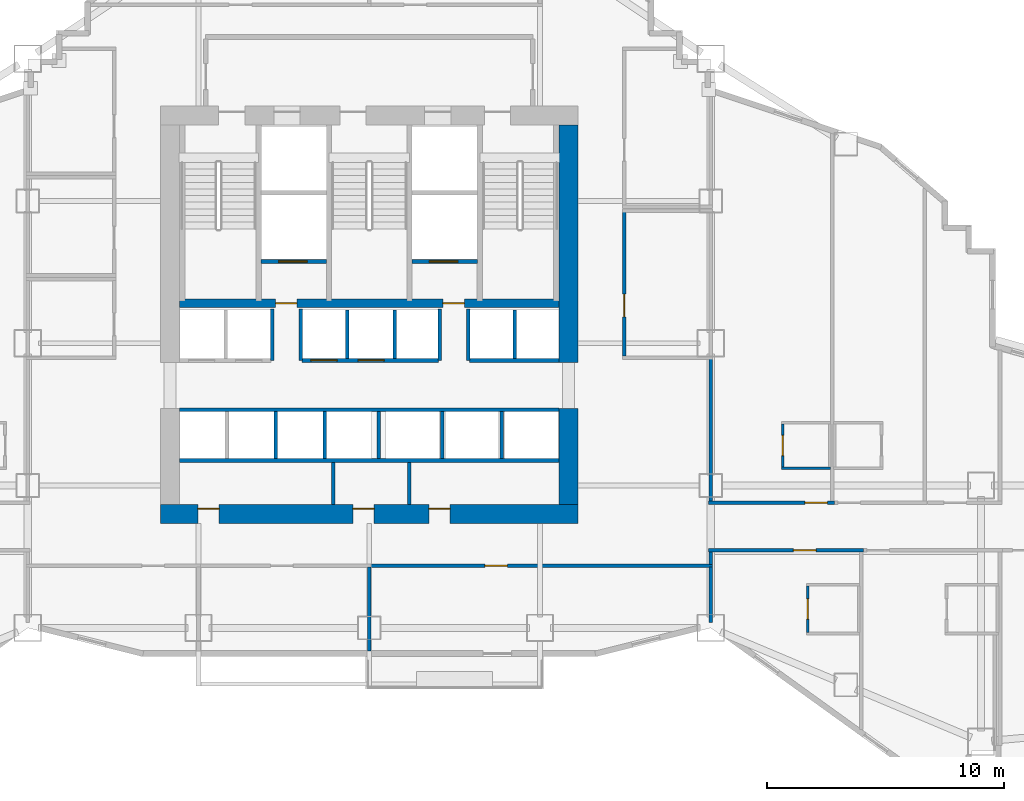
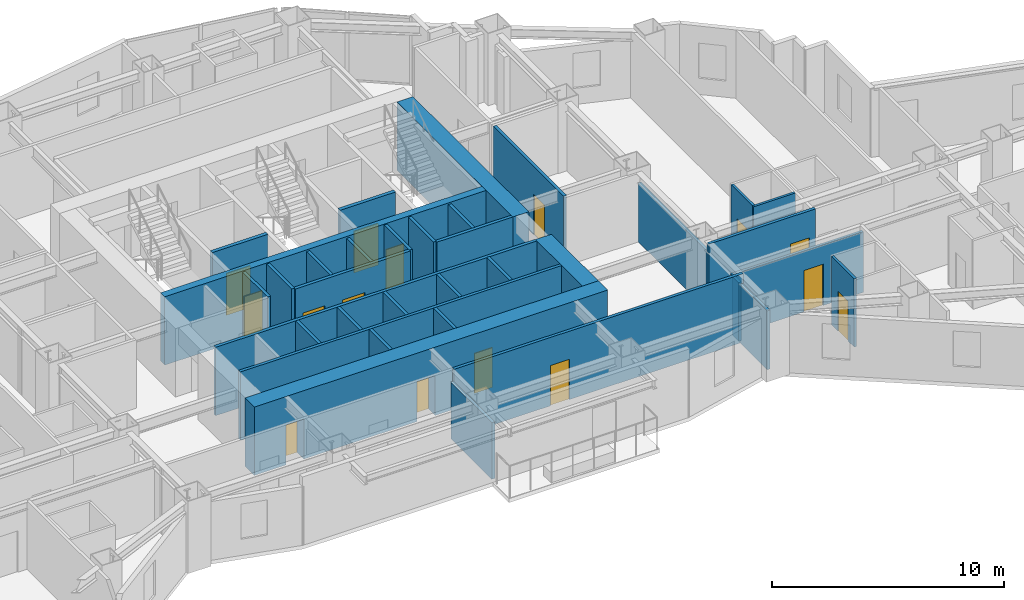
# One storey, part 9 of 15: 35 walls, 15 doors, 15 openings.
"""IFC4 building model written with IfcOpenShell, lengths in metres."""

from ifc_helpers import new_model, si_unit, direction, frame, frame_2d, origin, place, context, subcontext, project, spatial, rectangle, extrude, material, layer, layer_set, type_object, element, fill, save


model = new_model("IFC4")

# Units and contexts
model_context = context("Model", 3, precision=1e-05, world=origin(), true_north=direction((0.0, 1.0)))
body_context = subcontext(model_context, "Body", "Model", "MODEL_VIEW")
ifc_project = project(units=[si_unit("LENGTHUNIT", "METRE"), si_unit("AREAUNIT", "SQUARE_METRE"), si_unit("VOLUMEUNIT", "CUBIC_METRE"), si_unit("PLANEANGLEUNIT", "RADIAN"), si_unit("MASSUNIT", "GRAM", prefix="KILO")], contexts=[model_context])

# Site, building, storey
site_placement = place(None, origin())
site = spatial("IfcSite", under=ifc_project, at=site_placement, CompositionType="ELEMENT")
building_placement = place(site_placement, origin())
building = spatial("IfcBuilding", under=site, at=building_placement, Name="Haolan Belvedere Tower", CompositionType="ELEMENT")
storey_placement = place(building_placement, frame((0.0, 0.0, 70.39990234375)))
storey = spatial("IfcBuildingStorey", under=building, at=storey_placement, Name="L17", CompositionType="ELEMENT", Elevation=70.39990234375)

# Wall, openings, doors
ifc_material_1 = material(Name="Concrete C70/85", Category="concrete")
ifc_layer_1 = layer(ifc_material_1, 0.800048828125, Name="Concrete C70/85")
ifc_layer_set_1 = layer_set([ifc_layer_1], Name="Concrete C70/85")
wall_type_1 = type_object("IfcWallType", Name="WL-CORE-800", PredefinedType="SHEAR", material=ifc_layer_set_1)
wall_1_placement = place(storey_placement, frame((29.60009765625, 26.39990234375, 0.0), z_axis=(0.0, 0.0, 1.0), x_axis=(1.0, 0.0, 0.0)))
wall_1 = element("IfcWall", 1, at=wall_1_placement, inside=storey, type_object=wall_type_1, Name="L17 central core south shear wall", PredefinedType="SHEAR", context=body_context, shape_type="SweptSolid", body=[
    extrude(rectangle(XDim=17.599853515625, YDim=0.800048828125, at=frame_2d((8.7998046875, 0.0))), origin(), (0.0, 0.0, 1.0), 3.60009765625),
])
opening_1_placement = place(wall_1_placement, frame((2.469970703125, 0.0, 0.0), z_axis=(0.0, 0.0, 1.0), x_axis=(-1.0, 0.0, 0.0)))
opening_1 = element("IfcOpeningElement", 2, at=opening_1_placement, cuts=wall_1, Name="Opening FD-05", PredefinedType="OPENING", context=body_context, shape_type="SweptSolid", body=[
    extrude(rectangle(XDim=0.89990234375, YDim=2.10009765625, at=frame_2d((0.449951171875, 1.050048828125))), frame((0.0, 0.409912109375, 0.0), z_axis=(0.0, -1.0, 0.0), x_axis=(1.0, 0.0, 0.0)), (0.0, 0.0, 1.0), 0.820068359375),
])
opening_2_placement = place(wall_1_placement, frame((9.010009765625, 0.0, 0.0), z_axis=(0.0, 0.0, 1.0), x_axis=(-1.0, 0.0, 0.0)))
opening_2 = element("IfcOpeningElement", 3, at=opening_2_placement, cuts=wall_1, Name="Opening FD-05", PredefinedType="OPENING", context=body_context, shape_type="SweptSolid", body=[
    extrude(rectangle(XDim=0.89990234375, YDim=2.10009765625, at=frame_2d((0.449951171875, 1.050048828125))), frame((0.0, 0.409912109375, 0.0), z_axis=(0.0, -1.0, 0.0), x_axis=(1.0, 0.0, 0.0)), (0.0, 0.0, 1.0), 0.820068359375),
])
opening_3_placement = place(wall_1_placement, frame((12.2099609375, 0.0, 0.0), z_axis=(0.0, 0.0, 1.0), x_axis=(-1.0, 0.0, 0.0)))
opening_3 = element("IfcOpeningElement", 4, at=opening_3_placement, cuts=wall_1, Name="Opening FD-05", PredefinedType="OPENING", context=body_context, shape_type="SweptSolid", body=[
    extrude(rectangle(XDim=0.89990234375, YDim=2.10009765625, at=frame_2d((0.449951171875, 1.050048828125))), frame((0.0, 0.409912109375, 0.0), z_axis=(0.0, -1.0, 0.0), x_axis=(1.0, 0.0, 0.0)), (0.0, 0.0, 1.0), 0.820068359375),
])
ifc_material_2 = material(Name="Galvanised fire-rated steel", Category="steel")
door_type_1 = type_object("IfcDoorType", Name="DR-FD60-900", OperationType="NOTDEFINED", PredefinedType="DOOR", material=ifc_material_2)
door_1_placement = place(opening_1_placement, origin())
door_1 = element("IfcDoor", 5, at=door_1_placement, inside=storey, type_object=door_type_1, Name="L17 door CD-L17-SCV-1", OperationType="SINGLE_SWING_LEFT", OverallHeight=2.10009765625, OverallWidth=0.89990234375, PredefinedType="DOOR", context=body_context, shape_type="SweptSolid", body=[
    extrude(rectangle(XDim=0.89990234375, YDim=2.10009765625, at=frame_2d((0.449951171875, 1.050048828125))), frame((0.0, -0.19482421875, 0.0), z_axis=(0.0, -1.0, 0.0), x_axis=(1.0, 0.0, 0.0)), (0.0, 0.0, 1.0), 0.050048828125),
])
fill(opening_1, door_1)
door_2_placement = place(opening_2_placement, origin())
door_2 = element("IfcDoor", 6, at=door_2_placement, inside=storey, type_object=door_type_1, Name="L17 door CD-L17-SCV-2", OperationType="SINGLE_SWING_RIGHT", OverallHeight=2.10009765625, OverallWidth=0.89990234375, PredefinedType="DOOR", context=body_context, shape_type="SweptSolid", body=[
    extrude(rectangle(XDim=0.89990234375, YDim=2.10009765625, at=frame_2d((0.449951171875, 1.050048828125))), frame((0.0, -0.19482421875, 0.0), z_axis=(0.0, -1.0, 0.0), x_axis=(1.0, 0.0, 0.0)), (0.0, 0.0, 1.0), 0.050048828125),
])
fill(opening_2, door_2)
door_3_placement = place(opening_3_placement, origin())
door_3 = element("IfcDoor", 7, at=door_3_placement, inside=storey, type_object=door_type_1, Name="L17 door CD-L17-SCV-3", OperationType="SINGLE_SWING_LEFT", OverallHeight=2.10009765625, OverallWidth=0.89990234375, PredefinedType="DOOR", context=body_context, shape_type="SweptSolid", body=[
    extrude(rectangle(XDim=0.89990234375, YDim=2.10009765625, at=frame_2d((0.449951171875, 1.050048828125))), frame((0.0, -0.19482421875, 0.0), z_axis=(0.0, -1.0, 0.0), x_axis=(1.0, 0.0, 0.0)), (0.0, 0.0, 1.0), 0.050048828125),
])
fill(opening_3, door_3)

# Walls
wall_2_placement = place(storey_placement, frame((46.800048828125, 26.800048828125, 0.0), z_axis=(0.0, 0.0, 1.0), x_axis=(0.0, 1.0, 0.0)))
element("IfcWall", 8, at=wall_2_placement, inside=storey, type_object=wall_type_1, Name="L17 central core shear wall ES", PredefinedType="SHEAR", context=body_context, shape_type="SweptSolid", body=[
    extrude(rectangle(XDim=4.050048828125, YDim=0.800048828125, at=frame_2d((2.02490234375, 0.0))), origin(), (0.0, 0.0, 1.0), 3.60009765625),
])
wall_3_placement = place(storey_placement, frame((46.800048828125, 32.800048828125, 0.0), z_axis=(0.0, 0.0, 1.0), x_axis=(0.0, 1.0, 0.0)))
element("IfcWall", 9, at=wall_3_placement, inside=storey, type_object=wall_type_1, Name="L17 central core shear wall EN", PredefinedType="SHEAR", context=body_context, shape_type="SweptSolid", body=[
    extrude(rectangle(XDim=10.0, YDim=0.800048828125, at=frame_2d((5.0, 0.0))), origin(), (0.0, 0.0, 1.0), 3.60009765625),
])
ifc_material_3 = material(Name="Double gypsum acoustic stud partition", Category="masonry")
ifc_layer_2 = layer(ifc_material_3, 0.14990234375, Name="Double gypsum acoustic stud partition")
ifc_layer_set_2 = layer_set([ifc_layer_2], Name="Double gypsum acoustic stud partition")
wall_type_2 = type_object("IfcWallType", Name="WL-PART-150", PredefinedType="PARTITIONING", material=ifc_layer_set_2)
wall_4_placement = place(storey_placement, frame((30.39990234375, 28.659912109375, 0.0), z_axis=(0.0, 0.0, 1.0), x_axis=(1.0, 0.0, 0.0)))
element("IfcWall", 10, at=wall_4_placement, inside=storey, type_object=wall_type_2, Name="L17 interior partition IW-L17-SSTRIP-N", PredefinedType="PARTITIONING", context=body_context, shape_type="SweptSolid", body=[
    extrude(rectangle(XDim=16.0, YDim=0.14990234375, at=frame_2d((8.0, 0.0))), origin(), (0.0, 0.0, 1.0), 3.60009765625),
])
for number, where, z_axis, x_axis, name in (
    (11, (36.8798828125, 26.81005859375, 0.0), (0.0, 0.0, 1.0), (0.0, 1.0, 0.0), "L17 interior partition IW-L17-SCV-DIV-1"),
    (12, (40.080078125, 26.81005859375, 0.0), (0.0, 0.0, 1.0), (0.0, 1.0, 0.0), "L17 interior partition IW-L17-SCV-DIV-2"),
):
    element("IfcWall", number, at=place(storey_placement, frame(where, z_axis=z_axis, x_axis=x_axis)), inside=storey, type_object=wall_type_2, Name=name, PredefinedType="PARTITIONING", context=body_context, shape_type="SweptSolid", body=[
        extrude(rectangle(XDim=1.77001953125, YDim=0.14990234375, at=frame_2d((0.885009765625, 0.0))), origin(), (0.0, 0.0, 1.0), 3.60009765625),
    ])

# Wall, opening, door
wall_5_placement = place(storey_placement, frame((49.159912109375, 33.06005859375, 0.0), z_axis=(0.0, 0.0, 1.0), x_axis=(0.0, 1.0, 0.0)))
wall_5 = element("IfcWall", 13, at=wall_5_placement, inside=storey, type_object=wall_type_2, Name="L17 interior partition IW-L17-HSK-W", PredefinedType="PARTITIONING", context=body_context, shape_type="SweptSolid", body=[
    extrude(rectangle(XDim=6.079833984375, YDim=0.14990234375, at=frame_2d((3.0400390625, 0.0))), origin(), (0.0, 0.0, 1.0), 3.60009765625),
])
opening_4_placement = place(wall_5_placement, frame((1.659912109375, 0.0, 0.0)))
opening_4 = element("IfcOpeningElement", 14, at=opening_4_placement, cuts=wall_5, Name="Opening ID-03", PredefinedType="OPENING", context=body_context, shape_type="SweptSolid", body=[
    extrude(rectangle(XDim=0.949951171875, YDim=2.1201171875, at=frame_2d((0.47509765625, 1.06005859375))), frame((0.0, 0.0849609375, 0.0), z_axis=(0.0, -1.0, 0.0), x_axis=(1.0, 0.0, 0.0)), (0.0, 0.0, 1.0), 0.169921875),
])
ifc_material_4 = material(Name="Painted solid-core timber", Category="wood")
door_type_2 = type_object("IfcDoorType", Name="DR-INT-950", OperationType="NOTDEFINED", PredefinedType="DOOR", material=ifc_material_4)
door_4_placement = place(opening_4_placement, origin())
door_4 = element("IfcDoor", 15, at=door_4_placement, inside=storey, type_object=door_type_2, Name="L17 door ID-L17-HSK", OperationType="SINGLE_SWING_RIGHT", OverallHeight=2.1201171875, OverallWidth=0.949951171875, PredefinedType="DOOR", context=body_context, shape_type="SweptSolid", body=[
    extrude(rectangle(XDim=0.949951171875, YDim=2.1201171875, at=frame_2d((0.47509765625, 1.06005859375))), frame((0.0, 0.02490234375, 0.0), z_axis=(0.0, -1.0, 0.0), x_axis=(1.0, 0.0, 0.0)), (0.0, 0.0, 1.0), 0.050048828125),
])
fill(opening_4, door_4)

# Wall
wall_6_placement = place(storey_placement, frame((38.39990234375, 20.625, 0.0), z_axis=(0.0, 0.0, 1.0), x_axis=(0.0, 1.0, 0.0)))
element("IfcWall", 16, at=wall_6_placement, inside=storey, type_object=wall_type_2, Name="L17 interior partition IW-L17-KS2-E", PredefinedType="PARTITIONING", context=body_context, shape_type="SweptSolid", body=[
    extrude(rectangle(XDim=3.534912109375, YDim=0.14990234375, at=frame_2d((1.767578125, 0.0))), origin(), (0.0, 0.0, 1.0), 2.985107421875),
])

# Wall, opening, door
wall_7_placement = place(storey_placement, frame((38.48193359375, 24.219970703125, 0.0), z_axis=(0.0, 0.0, 1.0), x_axis=(1.0, 0.0, 0.0)))
wall_7 = element("IfcWall", 17, at=wall_7_placement, inside=storey, type_object=wall_type_2, Name="L17 interior partition IW-L17-KS3-N", PredefinedType="PARTITIONING", context=body_context, shape_type="SweptSolid", body=[
    extrude(rectangle(XDim=14.39794921875, YDim=0.14990234375, at=frame_2d((7.198974609375, 0.0))), origin(), (0.0, 0.0, 1.0), 3.60009765625),
])
opening_5_placement = place(wall_7_placement, frame((5.742919921875, 0.0, 0.0), z_axis=(0.0, 0.0, 1.0), x_axis=(-1.0, 0.0, 0.0)))
opening_5 = element("IfcOpeningElement", 18, at=opening_5_placement, cuts=wall_7, Name="Opening ID-03", PredefinedType="OPENING", context=body_context, shape_type="SweptSolid", body=[
    extrude(rectangle(XDim=0.949951171875, YDim=2.1201171875, at=frame_2d((0.47509765625, 1.06005859375))), frame((0.0, 0.0849609375, 0.0), z_axis=(0.0, -1.0, 0.0), x_axis=(1.0, 0.0, 0.0)), (0.0, 0.0, 1.0), 0.169921875),
])
door_5_placement = place(opening_5_placement, origin())
door_5 = element("IfcDoor", 19, at=door_5_placement, inside=storey, type_object=door_type_2, Name="L17 door ID-L17-KS3", OperationType="SINGLE_SWING_LEFT", OverallHeight=2.1201171875, OverallWidth=0.949951171875, PredefinedType="DOOR", context=body_context, shape_type="SweptSolid", body=[
    extrude(rectangle(XDim=0.949951171875, YDim=2.1201171875, at=frame_2d((0.47509765625, 1.06005859375))), frame((0.0, 0.02490234375, 0.0), z_axis=(0.0, -1.0, 0.0), x_axis=(1.0, 0.0, 0.0)), (0.0, 0.0, 1.0), 0.050048828125),
])
fill(opening_5, door_5)

# Wall
wall_8_placement = place(storey_placement, frame((52.800048828125, 21.818603515625, 0.0), z_axis=(0.0, 0.0, 1.0), x_axis=(0.0, 1.0, 0.0)))
element("IfcWall", 20, at=wall_8_placement, inside=storey, type_object=wall_type_2, Name="L17 interior partition IW-L17-KS3-E", PredefinedType="PARTITIONING", context=body_context, shape_type="SweptSolid", body=[
    extrude(rectangle(XDim=2.34130859375, YDim=0.14990234375, at=frame_2d((1.170654296875, 0.0))), origin(), (0.0, 0.0, 1.0), 3.09716796875),
])

# Wall, opening, door
wall_9_placement = place(storey_placement, frame((52.699951171875, 26.8798828125, 0.0), z_axis=(0.0, 0.0, 1.0), x_axis=(1.0, 0.0, 0.0)))
wall_9 = element("IfcWall", 21, at=wall_9_placement, inside=storey, type_object=wall_type_2, Name="L17 interior partition IW-L17-T4N1-S", PredefinedType="PARTITIONING", context=body_context, shape_type="SweptSolid", body=[
    extrude(rectangle(XDim=5.320068359375, YDim=0.14990234375, at=frame_2d((2.66015625, 0.0))), origin(), (0.0, 0.0, 1.0), 3.60009765625),
])
opening_6_placement = place(wall_9_placement, frame((4.0654296875, 0.0, 0.0)))
opening_6 = element("IfcOpeningElement", 22, at=opening_6_placement, cuts=wall_9, Name="Opening ID-01", PredefinedType="OPENING", context=body_context, shape_type="SweptSolid", body=[
    extrude(rectangle(XDim=0.949951171875, YDim=2.179931640625, at=frame_2d((0.47509765625, 1.08984375))), frame((0.0, 0.0849609375, 0.0), z_axis=(0.0, -1.0, 0.0), x_axis=(1.0, 0.0, 0.0)), (0.0, 0.0, 1.0), 0.169921875),
])
ifc_material_5 = material(Name="Acoustic walnut veneer fire-rated timber", Category="wood")
door_type_3 = type_object("IfcDoorType", Name="DR-SUITE-950", OperationType="NOTDEFINED", PredefinedType="DOOR", material=ifc_material_5)
door_6_placement = place(opening_6_placement, origin())
door_6 = element("IfcDoor", 23, at=door_6_placement, inside=storey, type_object=door_type_3, Name="L17 door ID-L17-T4N1-ENT", OperationType="SINGLE_SWING_RIGHT", OverallHeight=2.179931640625, OverallWidth=0.949951171875, PredefinedType="DOOR", context=body_context, shape_type="SweptSolid", body=[
    extrude(rectangle(XDim=0.949951171875, YDim=2.179931640625, at=frame_2d((0.47509765625, 1.08984375))), frame((0.0, 0.02490234375, 0.0), z_axis=(0.0, -1.0, 0.0), x_axis=(1.0, 0.0, 0.0)), (0.0, 0.0, 1.0), 0.050048828125),
])
fill(opening_6, door_6)

# Wall
wall_10_placement = place(storey_placement, frame((52.800048828125, 26.93994140625, 0.0), z_axis=(0.0, 0.0, 1.0), x_axis=(0.0, 1.0, 0.0)))
element("IfcWall", 24, at=wall_10_placement, inside=storey, type_object=wall_type_2, Name="L17 interior partition IW-L17-T4N1-W", PredefinedType="PARTITIONING", context=body_context, shape_type="SweptSolid", body=[
    extrude(rectangle(XDim=6.0, YDim=0.14990234375, at=frame_2d((3.0, 0.0))), origin(), (0.0, 0.0, 1.0), 3.09716796875),
])

# Wall, opening, door
wall_11_placement = place(storey_placement, frame((52.699951171875, 24.8701171875, 0.0), z_axis=(0.0, 0.0, 1.0), x_axis=(1.0, 0.0, 0.0)))
wall_11 = element("IfcWall", 25, at=wall_11_placement, inside=storey, type_object=wall_type_2, Name="L17 interior partition IW-L17-T4S1-N", PredefinedType="PARTITIONING", context=body_context, shape_type="SweptSolid", body=[
    extrude(rectangle(XDim=6.5400390625, YDim=0.14990234375, at=frame_2d((3.27001953125, 0.0))), origin(), (0.0, 0.0, 1.0), 3.18505859375),
])
opening_7_placement = place(wall_11_placement, frame((4.540771484375, 0.0, 0.0), z_axis=(0.0, 0.0, 1.0), x_axis=(-1.0, 0.0, 0.0)))
opening_7 = element("IfcOpeningElement", 26, at=opening_7_placement, cuts=wall_11, Name="Opening ID-01", PredefinedType="OPENING", context=body_context, shape_type="SweptSolid", body=[
    extrude(rectangle(XDim=0.949951171875, YDim=2.179931640625, at=frame_2d((0.47509765625, 1.08984375))), frame((0.0, 0.0849609375, 0.0), z_axis=(0.0, -1.0, 0.0), x_axis=(1.0, 0.0, 0.0)), (0.0, 0.0, 1.0), 0.169921875),
])
door_7_placement = place(opening_7_placement, origin())
door_7 = element("IfcDoor", 27, at=door_7_placement, inside=storey, type_object=door_type_3, Name="L17 door ID-L17-T4S1-ENT", OperationType="SINGLE_SWING_LEFT", OverallHeight=2.179931640625, OverallWidth=0.949951171875, PredefinedType="DOOR", context=body_context, shape_type="SweptSolid", body=[
    extrude(rectangle(XDim=0.949951171875, YDim=2.179931640625, at=frame_2d((0.47509765625, 1.08984375))), frame((0.0, 0.02490234375, 0.0), z_axis=(0.0, -1.0, 0.0), x_axis=(1.0, 0.0, 0.0)), (0.0, 0.0, 1.0), 0.050048828125),
])
fill(opening_7, door_7)

# Walls
wall_12_placement = place(storey_placement, frame((52.800048828125, 24.280029296875, 0.0), z_axis=(0.0, 0.0, 1.0), x_axis=(0.0, 1.0, 0.0)))
element("IfcWall", 28, at=wall_12_placement, inside=storey, type_object=wall_type_2, Name="L17 interior partition IW-L17-T4S1-W", PredefinedType="PARTITIONING", context=body_context, shape_type="SweptSolid", body=[
    extrude(rectangle(XDim=0.530029296875, YDim=0.14990234375, at=frame_2d((0.26513671875, 0.0))), origin(), (0.0, 0.0, 1.0), 3.09716796875),
])
ifc_material_6 = material(Name="Gypsum fire shaftwall assembly", Category="masonry")
ifc_layer_3 = layer(ifc_material_6, 0.1650390625, Name="Gypsum fire shaftwall assembly")
ifc_layer_set_3 = layer_set([ifc_layer_3], Name="Gypsum fire shaftwall assembly")
wall_type_3 = type_object("IfcWallType", Name="WL-SHAFT-160", PredefinedType="SOLIDWALL", material=ifc_layer_set_3)
for number, where, z_axis, x_axis, name in (
    (29, (34.31005859375, 32.8798828125, 0.0), (0.0, 0.0, 1.0), (0.0, 1.0, 0.0), "L17 interior partition IW-L17-SVP-W-SV1"),
    (30, (35.510009765625, 32.8798828125, 0.0), (0.0, 0.0, 1.0), (0.0, 1.0, 0.0), "L17 interior partition IW-L17-SVP-E-SV1"),
    (31, (41.3701171875, 32.8798828125, 0.0), (0.0, 0.0, 1.0), (0.0, 1.0, 0.0), "L17 interior partition IW-L17-SVP-W-SV2"),
    (32, (42.570068359375, 32.8798828125, 0.0), (0.0, 0.0, 1.0), (0.0, 1.0, 0.0), "L17 interior partition IW-L17-SVP-E-SV2"),
):
    element("IfcWall", number, at=place(storey_placement, frame(where, z_axis=z_axis, x_axis=x_axis)), inside=storey, type_object=wall_type_3, Name=name, PredefinedType="SOLIDWALL", context=body_context, shape_type="SweptSolid", body=[
        extrude(rectangle(XDim=2.170166015625, YDim=0.14990234375, at=frame_2d((1.0849609375, 0.0))), origin(), (0.0, 0.0, 1.0), 3.60009765625),
    ])

# Wall, openings, doors
wall_13_placement = place(storey_placement, frame((35.570068359375, 32.8798828125, 0.0), z_axis=(0.0, 0.0, 1.0), x_axis=(1.0, 0.0, 0.0)))
wall_13 = element("IfcWall", 33, at=wall_13_placement, inside=storey, type_object=wall_type_3, Name="L17 interior partition IW-L17-ROW-PN2", PredefinedType="SOLIDWALL", context=body_context, shape_type="SweptSolid", body=[
    extrude(rectangle(XDim=5.739990234375, YDim=0.159912109375, at=frame_2d((2.8701171875, 0.0))), origin(), (0.0, 0.0, 1.0), 3.60009765625),
])
opening_8_placement = place(wall_13_placement, frame((1.47021484375, 0.0, 0.0), z_axis=(0.0, 0.0, 1.0), x_axis=(-1.0, 0.0, 0.0)))
opening_8 = element("IfcOpeningElement", 34, at=opening_8_placement, cuts=wall_13, Name="Opening LD-01", PredefinedType="OPENING", context=body_context, shape_type="SweptSolid", body=[
    extrude(rectangle(XDim=1.10009765625, YDim=2.199951171875, at=frame_2d((0.550048828125, 1.10009765625))), frame((0.0, 0.08984375, 0.0), z_axis=(0.0, -1.0, 0.0), x_axis=(1.0, 0.0, 0.0)), (0.0, 0.0, 1.0), 0.179931640625),
])
opening_9_placement = place(wall_13_placement, frame((3.460205078125, 0.0, 0.0), z_axis=(0.0, 0.0, 1.0), x_axis=(-1.0, 0.0, 0.0)))
opening_9 = element("IfcOpeningElement", 35, at=opening_9_placement, cuts=wall_13, Name="Opening LD-01", PredefinedType="OPENING", context=body_context, shape_type="SweptSolid", body=[
    extrude(rectangle(XDim=1.10009765625, YDim=2.199951171875, at=frame_2d((0.550048828125, 1.10009765625))), frame((0.0, 0.08984375, 0.0), z_axis=(0.0, -1.0, 0.0), x_axis=(1.0, 0.0, 0.0)), (0.0, 0.0, 1.0), 0.179931640625),
])
ifc_material_7 = material(Name="Brushed champagne stainless steel 316L", Category="steel")
door_type_4 = type_object("IfcDoorType", Name="DR-LIFT-1100", OperationType="SLIDING_TO_LEFT", PredefinedType="DOOR", material=ifc_material_7)
door_8_placement = place(opening_8_placement, origin())
door_8 = element("IfcDoor", 36, at=door_8_placement, inside=storey, type_object=door_type_4, Name="L17 door ID-L17-LD-PL3", OperationType="SLIDING_TO_LEFT", OverallHeight=2.199951171875, OverallWidth=1.10009765625, PredefinedType="DOOR", context=body_context, shape_type="SweptSolid", body=[
    extrude(rectangle(XDim=1.10009765625, YDim=2.199951171875, at=frame_2d((0.550048828125, 1.10009765625))), frame((0.0, 0.02490234375, 0.0), z_axis=(0.0, -1.0, 0.0), x_axis=(1.0, 0.0, 0.0)), (0.0, 0.0, 1.0), 0.050048828125),
])
fill(opening_8, door_8)
door_9_placement = place(opening_9_placement, origin())
door_9 = element("IfcDoor", 37, at=door_9_placement, inside=storey, type_object=door_type_4, Name="L17 door ID-L17-LD-PL4", OperationType="SLIDING_TO_LEFT", OverallHeight=2.199951171875, OverallWidth=1.10009765625, PredefinedType="DOOR", context=body_context, shape_type="SweptSolid", body=[
    extrude(rectangle(XDim=1.10009765625, YDim=2.199951171875, at=frame_2d((0.550048828125, 1.10009765625))), frame((0.0, 0.02490234375, 0.0), z_axis=(0.0, -1.0, 0.0), x_axis=(1.0, 0.0, 0.0)), (0.0, 0.0, 1.0), 0.050048828125),
])
fill(opening_9, door_9)

# Walls
wall_14_placement = place(storey_placement, frame((42.6298828125, 32.8798828125, 0.0), z_axis=(0.0, 0.0, 1.0), x_axis=(1.0, 0.0, 0.0)))
element("IfcWall", 38, at=wall_14_placement, inside=storey, type_object=wall_type_3, Name="L17 interior partition IW-L17-ROW-PN3", PredefinedType="SOLIDWALL", context=body_context, shape_type="SweptSolid", body=[
    extrude(rectangle(XDim=3.77001953125, YDim=0.159912109375, at=frame_2d((1.885009765625, 0.0))), origin(), (0.0, 0.0, 1.0), 3.60009765625),
])
for number, where, z_axis, x_axis, name in (
    (39, (37.47998046875, 32.949951171875, 0.0), (0.0, 0.0, 1.0), (0.0, 1.0, 0.0), "L17 interior partition IW-L17-DIV-PL3"),
    (40, (39.469970703125, 32.949951171875, 0.0), (0.0, 0.0, 1.0), (0.0, 1.0, 0.0), "L17 interior partition IW-L17-DIV-PL4"),
    (41, (44.530029296875, 32.949951171875, 0.0), (0.0, 0.0, 1.0), (0.0, 1.0, 0.0), "L17 interior partition IW-L17-DIV-PH2"),
):
    element("IfcWall", number, at=place(storey_placement, frame(where, z_axis=z_axis, x_axis=x_axis)), inside=storey, type_object=wall_type_3, Name=name, PredefinedType="SOLIDWALL", context=body_context, shape_type="SweptSolid", body=[
        extrude(rectangle(XDim=2.050048828125, YDim=0.14990234375, at=frame_2d((1.02490234375, 0.0))), origin(), (0.0, 0.0, 1.0), 3.60009765625),
    ])
wall_15_placement = place(storey_placement, frame((30.39990234375, 30.800048828125, 0.0), z_axis=(0.0, 0.0, 1.0), x_axis=(1.0, 0.0, 0.0)))
element("IfcWall", 42, at=wall_15_placement, inside=storey, type_object=wall_type_3, Name="L17 interior partition IW-L17-ROW-PS", PredefinedType="SOLIDWALL", context=body_context, shape_type="SweptSolid", body=[
    extrude(rectangle(XDim=16.0, YDim=0.159912109375, at=frame_2d((8.0, 0.0))), origin(), (0.0, 0.0, 1.0), 3.60009765625),
])
for number, where, z_axis, x_axis, name in (
    (43, (34.4599609375, 28.735107421875, 0.0), (0.0, 0.0, 1.0), (0.0, 1.0, 0.0), "L17 interior partition IW-L17-DIV-PM2"),
    (44, (36.52001953125, 28.735107421875, 0.0), (0.0, 0.0, 1.0), (0.0, 1.0, 0.0), "L17 interior partition IW-L17-DIV-PM3"),
    (45, (38.800048828125, 28.735107421875, 0.0), (0.0, 0.0, 1.0), (0.0, 1.0, 0.0), "L17 interior partition IW-L17-DIV-PM4"),
):
    element("IfcWall", number, at=place(storey_placement, frame(where, z_axis=z_axis, x_axis=x_axis)), inside=storey, type_object=wall_type_3, Name=name, PredefinedType="SOLIDWALL", context=body_context, shape_type="SweptSolid", body=[
        extrude(rectangle(XDim=1.98486328125, YDim=0.14990234375, at=frame_2d((0.992431640625, 0.0))), origin(), (0.0, 0.0, 1.0), 3.60009765625),
    ])
for number, where, z_axis, x_axis, name in (
    (46, (41.469970703125, 28.75, 0.0), (0.0, 0.0, 1.0), (0.0, 1.0, 0.0), "L17 interior partition IW-L17-DIV-OB1"),
    (47, (43.97998046875, 28.75, 0.0), (0.0, 0.0, 1.0), (0.0, 1.0, 0.0), "L17 interior partition IW-L17-DIV-OB2"),
):
    element("IfcWall", number, at=place(storey_placement, frame(where, z_axis=z_axis, x_axis=x_axis)), inside=storey, type_object=wall_type_3, Name=name, PredefinedType="SOLIDWALL", context=body_context, shape_type="SweptSolid", body=[
        extrude(rectangle(XDim=1.985107421875, YDim=0.14990234375, at=frame_2d((0.99267578125, 0.0))), origin(), (0.0, 0.0, 1.0), 3.60009765625),
    ])

# Wall, opening, door
ifc_material_8 = material(Name="Precast concrete C40/50", Category="concrete")
ifc_layer_4 = layer(ifc_material_8, 0.179931640625, Name="Precast concrete C40/50")
ifc_layer_set_4 = layer_set([ifc_layer_4], Name="Precast concrete C40/50")
wall_type_4 = type_object("IfcWallType", Name="WL-SHAFT-180", PredefinedType="SOLIDWALL", material=ifc_layer_set_4)
wall_16_placement = place(storey_placement, frame((33.8349609375, 37.050048828125, 0.0), z_axis=(0.0, 0.0, 1.0), x_axis=(1.0, 0.0, 0.0)))
wall_16 = element("IfcWall", 48, at=wall_16_placement, inside=storey, type_object=wall_type_4, Name="L17 interior partition IW-L17-SV1-S", PredefinedType="SOLIDWALL", context=body_context, shape_type="SweptSolid", body=[
    extrude(rectangle(XDim=2.77001953125, YDim=0.179931640625, at=frame_2d((1.385009765625, 0.0))), origin(), (0.0, 0.0, 1.0), 3.60009765625),
])
opening_10_placement = place(wall_16_placement, frame((1.945068359375, 0.0, 0.0), z_axis=(0.0, 0.0, 1.0), x_axis=(-1.0, 0.0, 0.0)))
opening_10 = element("IfcOpeningElement", 49, at=opening_10_placement, cuts=wall_16, Name="Opening LD-02", PredefinedType="OPENING", context=body_context, shape_type="SweptSolid", body=[
    extrude(rectangle(XDim=1.199951171875, YDim=2.199951171875, at=frame_2d((0.60009765625, 1.10009765625))), frame((0.0, 0.099853515625, 0.0), z_axis=(0.0, -1.0, 0.0), x_axis=(1.0, 0.0, 0.0)), (0.0, 0.0, 1.0), 0.199951171875),
])
door_type_5 = type_object("IfcDoorType", Name="DR-LIFT-1200", OperationType="SLIDING_TO_RIGHT", PredefinedType="DOOR", material=ifc_material_7)
door_10_placement = place(opening_10_placement, origin())
door_10 = element("IfcDoor", 50, at=door_10_placement, inside=storey, type_object=door_type_5, Name="L17 door ID-L17-LD-SV1", OperationType="SLIDING_TO_RIGHT", OverallHeight=2.199951171875, OverallWidth=1.199951171875, PredefinedType="DOOR", context=body_context, shape_type="SweptSolid", body=[
    extrude(rectangle(XDim=1.199951171875, YDim=2.199951171875, at=frame_2d((0.60009765625, 1.10009765625))), frame((0.0, 0.02490234375, 0.0), z_axis=(0.0, -1.0, 0.0), x_axis=(1.0, 0.0, 0.0)), (0.0, 0.0, 1.0), 0.050048828125),
])
fill(opening_10, door_10)

wall_17_placement = place(storey_placement, frame((40.195068359375, 37.050048828125, 0.0), z_axis=(0.0, 0.0, 1.0), x_axis=(1.0, 0.0, 0.0)))
wall_17 = element("IfcWall", 51, at=wall_17_placement, inside=storey, type_object=wall_type_4, Name="L17 interior partition IW-L17-SV2-S", PredefinedType="SOLIDWALL", context=body_context, shape_type="SweptSolid", body=[
    extrude(rectangle(XDim=2.77001953125, YDim=0.179931640625, at=frame_2d((1.385009765625, 0.0))), origin(), (0.0, 0.0, 1.0), 3.60009765625),
])
opening_11_placement = place(wall_17_placement, frame((1.945068359375, 0.0, 0.0), z_axis=(0.0, 0.0, 1.0), x_axis=(-1.0, 0.0, 0.0)))
opening_11 = element("IfcOpeningElement", 52, at=opening_11_placement, cuts=wall_17, Name="Opening LD-02", PredefinedType="OPENING", context=body_context, shape_type="SweptSolid", body=[
    extrude(rectangle(XDim=1.199951171875, YDim=2.199951171875, at=frame_2d((0.60009765625, 1.10009765625))), frame((0.0, 0.099853515625, 0.0), z_axis=(0.0, -1.0, 0.0), x_axis=(1.0, 0.0, 0.0)), (0.0, 0.0, 1.0), 0.199951171875),
])
door_11_placement = place(opening_11_placement, origin())
door_11 = element("IfcDoor", 53, at=door_11_placement, inside=storey, type_object=door_type_5, Name="L17 door ID-L17-LD-SV2", OperationType="SLIDING_TO_RIGHT", OverallHeight=2.199951171875, OverallWidth=1.199951171875, PredefinedType="DOOR", context=body_context, shape_type="SweptSolid", body=[
    extrude(rectangle(XDim=1.199951171875, YDim=2.199951171875, at=frame_2d((0.60009765625, 1.10009765625))), frame((0.0, 0.02490234375, 0.0), z_axis=(0.0, -1.0, 0.0), x_axis=(1.0, 0.0, 0.0)), (0.0, 0.0, 1.0), 0.050048828125),
])
fill(opening_11, door_11)

# Wall, openings, doors
ifc_material_9 = material(Name="Concrete C60/75", Category="concrete")
ifc_layer_5 = layer(ifc_material_9, 0.360107421875, Name="Concrete C60/75")
ifc_layer_set_5 = layer_set([ifc_layer_5], Name="Concrete C60/75")
wall_type_5 = type_object("IfcWallType", Name="WL-WEB-350", PredefinedType="SHEAR", material=ifc_layer_set_5)
wall_18_placement = place(storey_placement, frame((30.39990234375, 35.2900390625, 0.0), z_axis=(0.0, 0.0, 1.0), x_axis=(1.0, 0.0, 0.0)))
wall_18 = element("IfcWall", 54, at=wall_18_placement, inside=storey, type_object=wall_type_5, Name="L17 central core internal shear web", PredefinedType="SHEAR", context=body_context, shape_type="SweptSolid", body=[
    extrude(rectangle(XDim=16.0, YDim=0.360107421875, at=frame_2d((8.0, 0.0))), origin(), (0.0, 0.0, 1.0), 3.60009765625),
])
opening_12_placement = place(wall_18_placement, frame((4.949951171875, 0.0, 0.0), z_axis=(0.0, 0.0, 1.0), x_axis=(-1.0, 0.0, 0.0)))
opening_12 = element("IfcOpeningElement", 55, at=opening_12_placement, cuts=wall_18, Name="Opening FD-05", PredefinedType="OPENING", context=body_context, shape_type="SweptSolid", body=[
    extrude(rectangle(XDim=0.89990234375, YDim=2.10009765625, at=frame_2d((0.449951171875, 1.050048828125))), frame((0.0, 0.18994140625, 0.0), z_axis=(0.0, -1.0, 0.0), x_axis=(1.0, 0.0, 0.0)), (0.0, 0.0, 1.0), 0.380126953125),
])
opening_13_placement = place(wall_18_placement, frame((12.010009765625, 0.0, 0.0), z_axis=(0.0, 0.0, 1.0), x_axis=(-1.0, 0.0, 0.0)))
opening_13 = element("IfcOpeningElement", 56, at=opening_13_placement, cuts=wall_18, Name="Opening FD-05", PredefinedType="OPENING", context=body_context, shape_type="SweptSolid", body=[
    extrude(rectangle(XDim=0.89990234375, YDim=2.10009765625, at=frame_2d((0.449951171875, 1.050048828125))), frame((0.0, 0.18994140625, 0.0), z_axis=(0.0, -1.0, 0.0), x_axis=(1.0, 0.0, 0.0)), (0.0, 0.0, 1.0), 0.380126953125),
])
door_12_placement = place(opening_12_placement, origin())
door_12 = element("IfcDoor", 57, at=door_12_placement, inside=storey, type_object=door_type_1, Name="L17 door CD-L17-SVL-SV1", OperationType="SINGLE_SWING_RIGHT", OverallHeight=2.10009765625, OverallWidth=0.89990234375, PredefinedType="DOOR", context=body_context, shape_type="SweptSolid", body=[
    extrude(rectangle(XDim=0.89990234375, YDim=2.10009765625, at=frame_2d((0.449951171875, 1.050048828125))), frame((0.0, 0.02490234375, 0.0), z_axis=(0.0, -1.0, 0.0), x_axis=(1.0, 0.0, 0.0)), (0.0, 0.0, 1.0), 0.050048828125),
])
fill(opening_12, door_12)
door_13_placement = place(opening_13_placement, origin())
door_13 = element("IfcDoor", 58, at=door_13_placement, inside=storey, type_object=door_type_1, Name="L17 door CD-L17-SVL-SV2", OperationType="SINGLE_SWING_RIGHT", OverallHeight=2.10009765625, OverallWidth=0.89990234375, PredefinedType="DOOR", context=body_context, shape_type="SweptSolid", body=[
    extrude(rectangle(XDim=0.89990234375, YDim=2.10009765625, at=frame_2d((0.449951171875, 1.050048828125))), frame((0.0, 0.02490234375, 0.0), z_axis=(0.0, -1.0, 0.0), x_axis=(1.0, 0.0, 0.0)), (0.0, 0.0, 1.0), 0.050048828125),
])
fill(opening_13, door_13)

# Wall
ifc_material_10 = material(Name="Moisture-resistant gypsum tile partition", Category="masonry")
ifc_layer_6 = layer(ifc_material_10, 0.1201171875, Name="Moisture-resistant gypsum tile partition")
ifc_layer_set_6 = layer_set([ifc_layer_6], Name="Moisture-resistant gypsum tile partition")
wall_type_6 = type_object("IfcWallType", Name="WL-WET-120", PredefinedType="PARTITIONING", material=ifc_layer_set_6)
wall_19_placement = place(storey_placement, frame((55.780029296875, 28.330078125, 0.0), z_axis=(0.0, 0.0, 1.0), x_axis=(1.0, 0.0, 0.0)))
element("IfcWall", 59, at=wall_19_placement, inside=storey, type_object=wall_type_6, Name="L17 interior partition IW-L17-T4N1-BS", PredefinedType="PARTITIONING", context=body_context, shape_type="SweptSolid", body=[
    extrude(rectangle(XDim=2.080078125, YDim=0.1201171875, at=frame_2d((1.0400390625, 0.0))), origin(), (0.0, 0.0, 1.0), 3.60009765625),
])

# Wall, opening, door
wall_20_placement = place(storey_placement, frame((55.840087890625, 28.375, 0.0), z_axis=(0.0, 0.0, 1.0), x_axis=(0.0, 1.0, 0.0)))
wall_20 = element("IfcWall", 60, at=wall_20_placement, inside=storey, type_object=wall_type_6, Name="L17 interior partition IW-L17-T4N1-BW", PredefinedType="PARTITIONING", context=body_context, shape_type="SweptSolid", body=[
    extrude(rectangle(XDim=1.830078125, YDim=0.1201171875, at=frame_2d((0.9150390625, 0.0))), origin(), (0.0, 0.0, 1.0), 3.60009765625),
])
opening_14_placement = place(wall_20_placement, frame((1.340087890625, 0.0, 0.0), z_axis=(0.0, 0.0, 1.0), x_axis=(-1.0, 0.0, 0.0)))
opening_14 = element("IfcOpeningElement", 61, at=opening_14_placement, cuts=wall_20, Name="Opening ID-05", PredefinedType="OPENING", context=body_context, shape_type="SweptSolid", body=[
    extrude(rectangle(XDim=0.85009765625, YDim=2.10009765625, at=frame_2d((0.425048828125, 1.050048828125))), frame((0.0, 0.070068359375, 0.0), z_axis=(0.0, -1.0, 0.0), x_axis=(1.0, 0.0, 0.0)), (0.0, 0.0, 1.0), 0.14013671875),
])
ifc_material_11 = material(Name="Moisture-resistant lacquered timber", Category="wood")
door_type_6 = type_object("IfcDoorType", Name="DR-BATH-850", OperationType="NOTDEFINED", PredefinedType="DOOR", material=ifc_material_11)
door_14_placement = place(opening_14_placement, origin())
door_14 = element("IfcDoor", 62, at=door_14_placement, inside=storey, type_object=door_type_6, Name="L17 door ID-L17-T4N1-BATH", OperationType="SINGLE_SWING_LEFT", OverallHeight=2.10009765625, OverallWidth=0.85009765625, PredefinedType="DOOR", context=body_context, shape_type="SweptSolid", body=[
    extrude(rectangle(XDim=0.85009765625, YDim=2.10009765625, at=frame_2d((0.425048828125, 1.050048828125))), frame((0.0, 0.02490234375, 0.0), z_axis=(0.0, -1.0, 0.0), x_axis=(1.0, 0.0, 0.0)), (0.0, 0.0, 1.0), 0.050048828125),
])
fill(opening_14, door_14)

wall_21_placement = place(storey_placement, frame((56.889892578125, 21.4150390625, 0.0), z_axis=(0.0, 0.0, 1.0), x_axis=(0.0, 1.0, 0.0)))
wall_21 = element("IfcWall", 63, at=wall_21_placement, inside=storey, type_object=wall_type_6, Name="L17 interior partition IW-L17-T4S1-BW", PredefinedType="PARTITIONING", context=body_context, shape_type="SweptSolid", body=[
    extrude(rectangle(XDim=1.9599609375, YDim=0.1201171875, at=frame_2d((0.97998046875, 0.0))), origin(), (0.0, 0.0, 1.0), 3.60009765625),
])
opening_15_placement = place(wall_21_placement, frame((1.405029296875, 0.0, 0.0), z_axis=(0.0, 0.0, 1.0), x_axis=(-1.0, 0.0, 0.0)))
opening_15 = element("IfcOpeningElement", 64, at=opening_15_placement, cuts=wall_21, Name="Opening ID-05", PredefinedType="OPENING", context=body_context, shape_type="SweptSolid", body=[
    extrude(rectangle(XDim=0.85009765625, YDim=2.10009765625, at=frame_2d((0.425048828125, 1.050048828125))), frame((0.0, 0.070068359375, 0.0), z_axis=(0.0, -1.0, 0.0), x_axis=(1.0, 0.0, 0.0)), (0.0, 0.0, 1.0), 0.14013671875),
])
door_15_placement = place(opening_15_placement, origin())
door_15 = element("IfcDoor", 65, at=door_15_placement, inside=storey, type_object=door_type_6, Name="L17 door ID-L17-T4S1-BATH", OperationType="SINGLE_SWING_RIGHT", OverallHeight=2.10009765625, OverallWidth=0.85009765625, PredefinedType="DOOR", context=body_context, shape_type="SweptSolid", body=[
    extrude(rectangle(XDim=0.85009765625, YDim=2.10009765625, at=frame_2d((0.425048828125, 1.050048828125))), frame((0.0, 0.02490234375, 0.0), z_axis=(0.0, -1.0, 0.0), x_axis=(1.0, 0.0, 0.0)), (0.0, 0.0, 1.0), 0.050048828125),
])
fill(opening_15, door_15)

save(model, "model.ifc")
